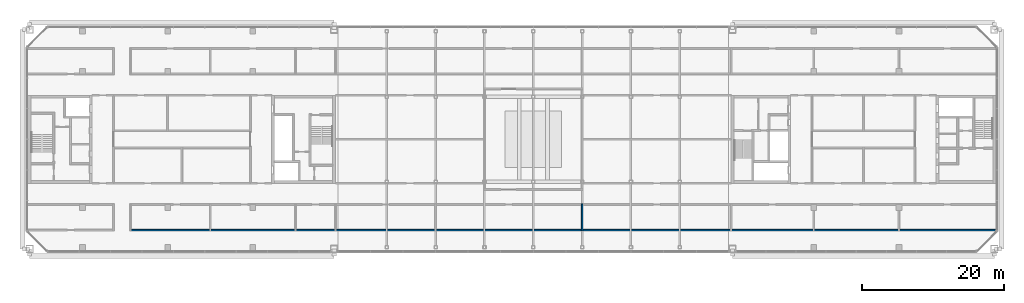
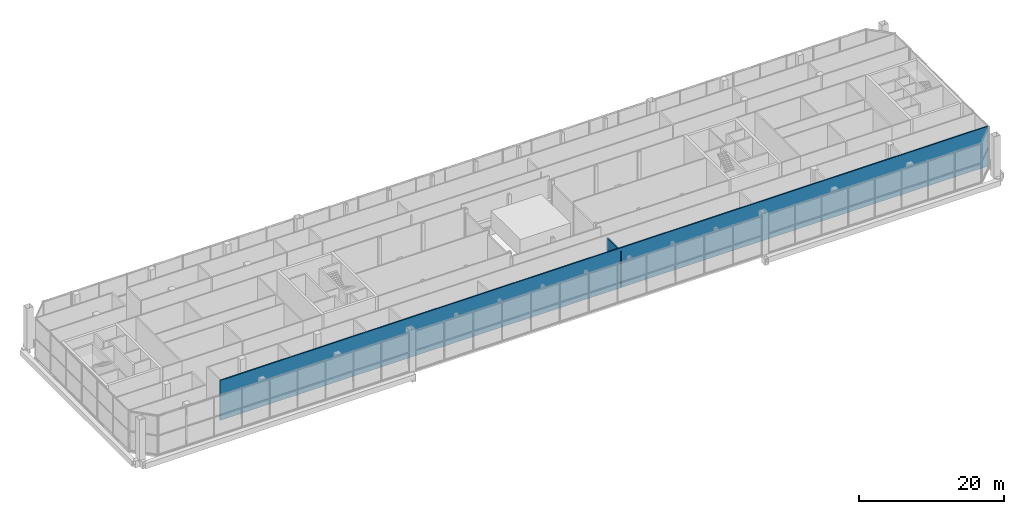
# One storey, part 19 of 27: 2 walls.
"""IFC4 building model written with IfcOpenShell, lengths in metres."""

from ifc_helpers import new_model, si_unit, direction, frame, frame_2d, origin, place, context, subcontext, project, spatial, rectangle, extrude, material, layer, layer_set, type_object, element, save


model = new_model("IFC4")

# Units and contexts
model_context = context("Model", 3, precision=1e-05, world=origin(), true_north=direction((0.0, 1.0)))
body_context = subcontext(model_context, "Body", "Model", "MODEL_VIEW")
ifc_project = project(units=[si_unit("LENGTHUNIT", "METRE"), si_unit("AREAUNIT", "SQUARE_METRE"), si_unit("VOLUMEUNIT", "CUBIC_METRE"), si_unit("PLANEANGLEUNIT", "RADIAN"), si_unit("MASSUNIT", "GRAM", prefix="KILO")], contexts=[model_context])

# Site, building, storey
site_placement = place(None, origin())
site = spatial("IfcSite", under=ifc_project, at=site_placement, CompositionType="ELEMENT")
building_placement = place(site_placement, origin())
building = spatial("IfcBuilding", under=site, at=building_placement, Name="Tuart Gate Housing", CompositionType="ELEMENT")
storey_placement = place(building_placement, frame((0.0, 0.0, 236.89990234375)))
storey = spatial("IfcBuildingStorey", under=building, at=storey_placement, Name="L67", CompositionType="ELEMENT", Elevation=236.89990234375)

# Walls
ifc_material = material(Name="Concrete masonry 15 MPa", Category="masonry")
ifc_layer = layer(ifc_material, 0.199951171875)
ifc_layer_set = layer_set([ifc_layer], Name="Enclosure wall masonry 200")
wall_type = type_object("IfcWallType", Name="Enclosure wall masonry 200", PredefinedType="PARTITIONING", material=ifc_layer_set)
wall_1_placement = place(storey_placement, frame((46.659912109375, 57.199951171875, 0.0), z_axis=(0.0, 0.0, 1.0), x_axis=(1.0, 0.0, 0.0)))
element("IfcWall", 1, at=wall_1_placement, inside=storey, type_object=wall_type, Name="Enclosure wall masonry 200", PredefinedType="PARTITIONING", context=body_context, shape_type="SweptSolid", body=[
    extrude(rectangle(XDim=122.10009765625, YDim=0.199951171875, at=frame_2d((61.050048828125, 0.0))), origin(), (0.0, 0.0, 1.0), 6.7001953125),
])
wall_2_placement = place(storey_placement, frame((110.375, 57.10009765625, 0.0), z_axis=(0.0, 0.0, 1.0), x_axis=(0.0, 1.0, 0.0)))
element("IfcWall", 2, at=wall_2_placement, inside=storey, type_object=wall_type, Name="Enclosure wall masonry 200", PredefinedType="PARTITIONING", context=body_context, shape_type="SweptSolid", body=[
    extrude(rectangle(XDim=3.7998046875, YDim=0.199951171875, at=frame_2d((1.89990234375, 0.0))), origin(), (0.0, 0.0, 1.0), 6.1669921875),
])

save(model, "model.ifc")
